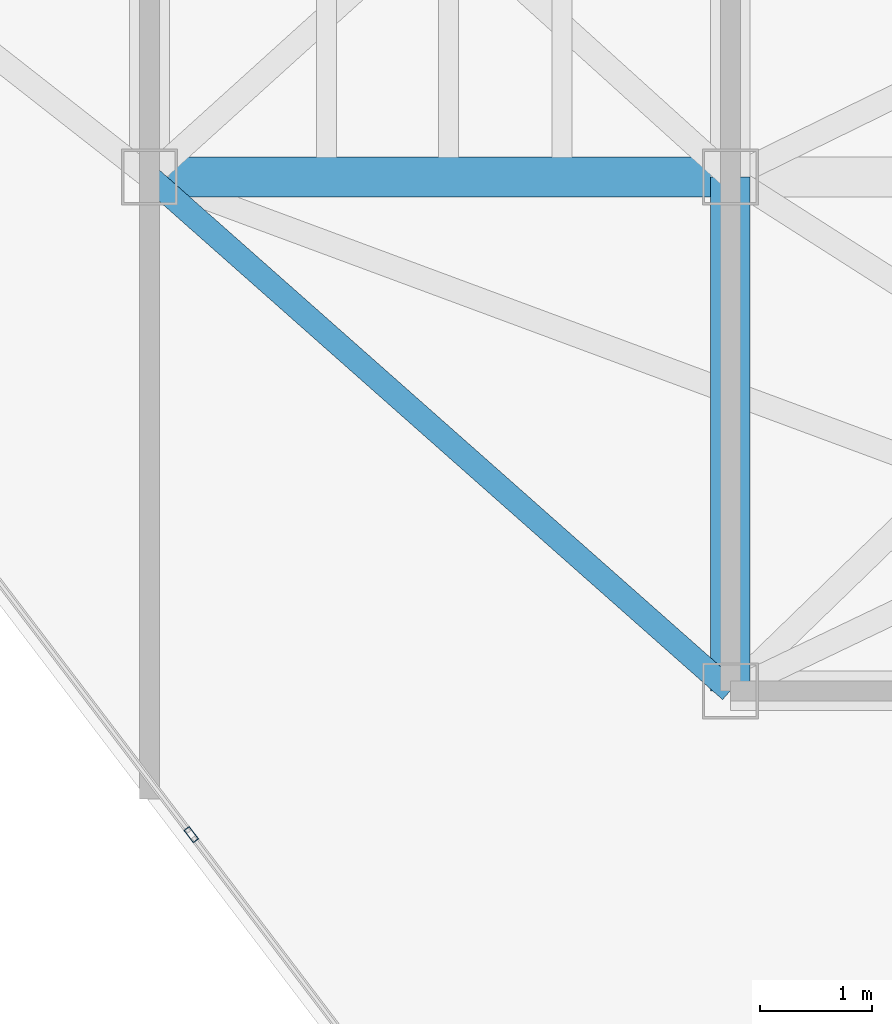
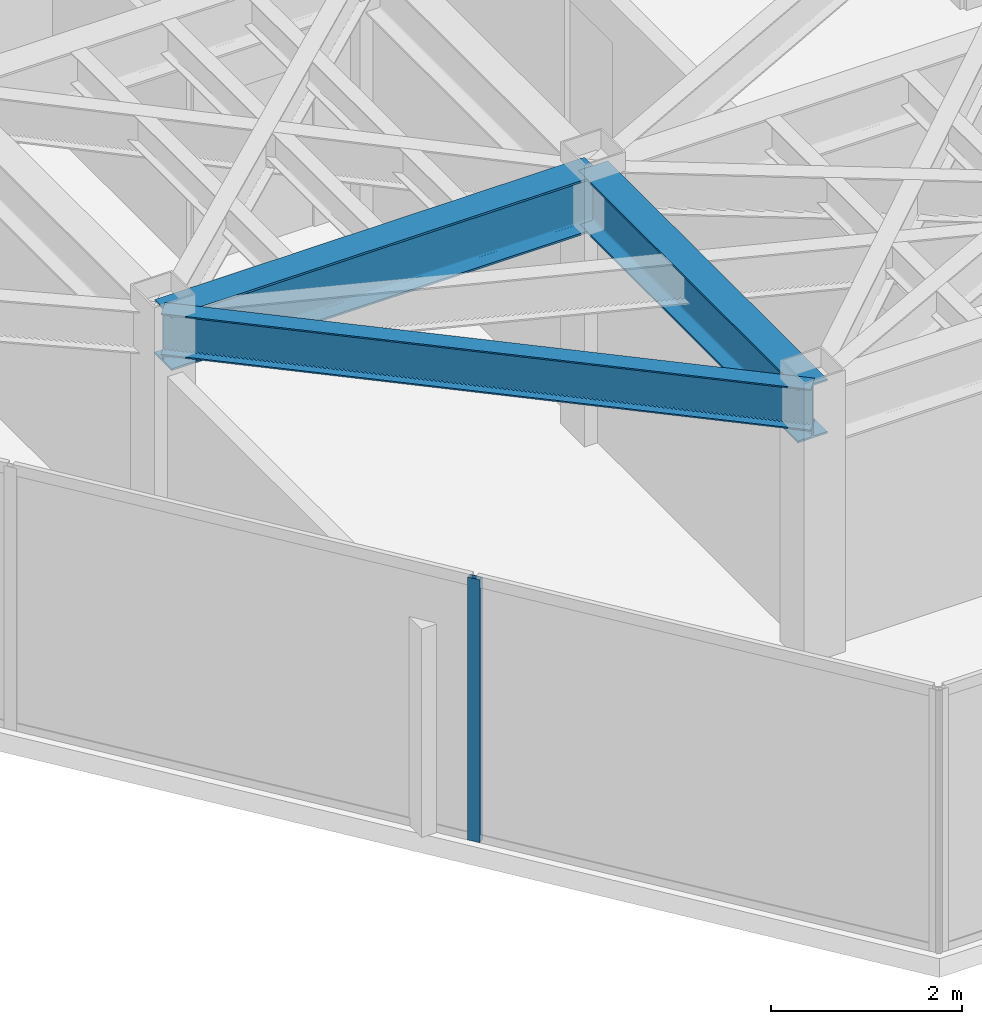
# One storey, part 10 of 21: 3 beams, 1 member, 1 element without a shape of its own.
"""IFC4 building model written with IfcOpenShell, lengths in metres."""

import ifcopenshell
import ifcopenshell.guid

model = None  # the IFC model being written
_history = None  # IfcOwnerHistory: only IFC2X3 demands one
_inside = {}  # id of a spatial element -> (the spatial element, [elements in it])
_under = {}  # id of a project, library or spatial element -> (it, [spatial elements below it])
_declared = {}  # id of a project -> (the project, [libraries it declares])
_typed = {}  # id of a type object -> (the type object, [elements of that type])
_made_of = {}  # id of a material, layer set ... -> (it, [elements and type objects made of it])


def new_model(schema):
    """Start an empty IFC model of exactly this schema.

    Asked for "IFC4X3", IfcOpenShell would pick the latest addendum, in which some entities
    have other attributes; the version numbers below select the first issue.
    IFC2X3 requires an IfcOwnerHistory on every rooted entity: one is made here for all.
    """
    global model, _history
    if schema == "IFC4X3":
        model = ifcopenshell.file(schema_version=(4, 3, 0, 0))
    else:
        model = ifcopenshell.file(schema=schema)
    _inside.clear()
    _under.clear()
    _declared.clear()
    _typed.clear()
    _made_of.clear()
    _history = None
    if model.schema == "IFC2X3":
        org = make("IfcOrganization", Name="unknown")
        user = make(
            "IfcPersonAndOrganization",
            ThePerson=make("IfcPerson", FamilyName="unknown"),
            TheOrganization=org,
        )
        app = make(
            "IfcApplication",
            ApplicationDeveloper=org,
            Version="unknown",
            ApplicationFullName="unknown",
            ApplicationIdentifier="unknown",
        )
        _history = make(
            "IfcOwnerHistory",
            OwningUser=user,
            OwningApplication=app,
            ChangeAction="ADDED",
            CreationDate=0,
        )
    return model


def make(cls, **values):
    """One entity of the class cls with the attributes given. An attribute that is None is left unset."""
    return model.create_entity(
        cls, **{name: value for name, value in values.items() if value is not None}
    )


def rooted(cls, **values):
    """An entity with a GlobalId (a new one), such as an element, a storey or a relation."""
    return make(cls, GlobalId=ifcopenshell.guid.new(), OwnerHistory=_history, **values)


def si_unit(unit_type, name, prefix=None):
    """IfcSIUnit, for example si_unit("LENGTHUNIT", "METRE", prefix="MILLI")."""
    return make("IfcSIUnit", UnitType=unit_type, Prefix=prefix, Name=name)


def assignment(units):
    """IfcUnitAssignment: the units of a project."""
    return None if units is None else make("IfcUnitAssignment", Units=units)


def point(xyz):
    """IfcCartesianPoint."""
    return None if xyz is None else make("IfcCartesianPoint", Coordinates=xyz)


def direction(xyz):
    """IfcDirection."""
    return None if xyz is None else make("IfcDirection", DirectionRatios=xyz)


def frame(location, z_axis=None, x_axis=None):
    """IfcAxis2Placement3D, a coordinate frame: its origin and axes. An axis left out is left unset."""
    return make(
        "IfcAxis2Placement3D",
        Location=point(location),
        Axis=direction(z_axis),
        RefDirection=direction(x_axis),
    )


def frame_2d(location, x_axis=None):
    """IfcAxis2Placement2D, a coordinate frame in the plane: its origin and x axis."""
    return make(
        "IfcAxis2Placement2D", Location=point(location), RefDirection=direction(x_axis)
    )


def origin():
    """The frame at (0, 0, 0) with its axes left unset."""
    return frame((0.0, 0.0, 0.0))


def origin_2d():
    """The frame at (0, 0) in the plane with its x axis left unset."""
    return frame_2d((0.0, 0.0))


def place(relative_to, where):
    """IfcLocalPlacement: puts the frame where relative to a parent placement (None: the world)."""
    return make(
        "IfcLocalPlacement", PlacementRelTo=relative_to, RelativePlacement=where
    )


def context(
    kind, dimensions, precision=None, world=None, true_north=None, identifier=None
):
    """IfcGeometricRepresentationContext, for example the 3D "Model" context."""
    return make(
        "IfcGeometricRepresentationContext",
        ContextIdentifier=identifier,
        ContextType=kind,
        CoordinateSpaceDimension=dimensions,
        Precision=precision,
        WorldCoordinateSystem=world,
        TrueNorth=true_north,
    )


def subcontext(parent, identifier, kind, view, scale=None):
    """IfcGeometricRepresentationSubContext, for example "Body" below "Model"."""
    return make(
        "IfcGeometricRepresentationSubContext",
        ContextIdentifier=identifier,
        ContextType=kind,
        ParentContext=parent,
        TargetScale=scale,
        TargetView=view,
    )


def project(units=None, contexts=None):
    """IfcProject with its units and contexts."""
    return rooted(
        "IfcProject",
        Name="project",
        RepresentationContexts=contexts,
        UnitsInContext=assignment(units),
    )


def spatial(cls, under=None, at=None, **own):
    """A site, building, storey or space (cls), placed at a placement, below another one or the project."""
    s = rooted(cls, ObjectPlacement=at, **own)
    if under is not None:
        _under.setdefault(under.id(), (under, []))[1].append(s)
    return s


def profile(cls, at=None, kind="AREA", **sizes):
    """A parametric profile (cls). Its sizes go by their IFC names, for example OverallWidth=200.0."""
    return make(cls, ProfileType=kind, Position=at, **sizes)


def hollow_rectangle(**sizes):
    """IfcRectangleHollowProfileDef."""
    return profile("IfcRectangleHollowProfileDef", **sizes)


def i_section(**sizes):
    """IfcIShapeProfileDef."""
    return profile("IfcIShapeProfileDef", **sizes)


def extrude(swept, where, along, depth):
    """IfcExtrudedAreaSolid: the profile swept, set in the frame where, extruded along a direction by depth."""
    return make(
        "IfcExtrudedAreaSolid",
        SweptArea=swept,
        Position=where,
        ExtrudedDirection=direction(along),
        Depth=depth,
    )


def shape(context_of_items, identifier, shape_type, items):
    """IfcShapeRepresentation: the items that make up one representation, for example the "Body"."""
    return make(
        "IfcShapeRepresentation",
        ContextOfItems=context_of_items,
        RepresentationIdentifier=identifier,
        RepresentationType=shape_type,
        Items=items,
    )


def material(Name=None, Category=None):
    """IfcMaterial."""
    return make("IfcMaterial", Name=Name, Category=Category)


def layer(
    of_material, thickness, ventilated=None, Name=None, Category=None, Priority=None
):
    """IfcMaterialLayer: one layer of a wall or slab, of a material (None: an air gap)."""
    return make(
        "IfcMaterialLayer",
        Material=of_material,
        LayerThickness=thickness,
        IsVentilated=ventilated,
        Name=Name,
        Category=Category,
        Priority=Priority,
    )


def layer_set(layers, Name=None):
    """IfcMaterialLayerSet."""
    return make("IfcMaterialLayerSet", MaterialLayers=layers, LayerSetName=Name)


def material_profile(
    of_material, cross_section, Name=None, Category=None, Priority=None
):
    """IfcMaterialProfile: a cross section and its material."""
    return make(
        "IfcMaterialProfile",
        Name=Name,
        Material=of_material,
        Profile=cross_section,
        Priority=Priority,
        Category=Category,
    )


def profile_set(profiles, Name=None, composite=None):
    """IfcMaterialProfileSet."""
    return make(
        "IfcMaterialProfileSet",
        Name=Name,
        MaterialProfiles=profiles,
        CompositeProfile=composite,
    )


def made_of(thing, what):
    """Note that an element or type object is made of a material, layer set ...; save() writes the relation."""
    if what is not None:
        _made_of.setdefault(what.id(), (what, []))[1].append(thing)
    return thing


def type_object(cls, material=None, **own):
    """A type object (cls), such as IfcWallType, which elements share."""
    return made_of(rooted(cls, **own), material)


def element(
    cls,
    number,
    at=None,
    inside=None,
    cuts=None,
    type_object=None,
    material=None,
    context=None,
    identifier="Body",
    shape_type=None,
    held_by="IfcProductDefinitionShape",
    body=None,
    shapes=None,
    **own,
):
    """One element of the class cls, such as IfcWall. Its Tag is "e" and its number.

    at: its placement. inside: the storey or other place that contains it. cuts: it is an
    opening in that element (IfcRelVoidsElement). A single representation is given by context,
    identifier, shape_type and body (its items); several are given by shapes. held_by: the class
    of the entity that holds the representations. save() writes the other relations.
    """
    e = rooted(cls, Tag="e%d" % number, ObjectPlacement=at, **own)
    if body is not None:
        shapes = [shape(context, identifier, shape_type, body)]
    if shapes is not None:
        e.Representation = make(held_by, Representations=shapes)
    if inside is not None:
        _inside.setdefault(inside.id(), (inside, []))[1].append(e)
    if cuts is not None:
        rooted(
            "IfcRelVoidsElement", RelatingBuildingElement=cuts, RelatedOpeningElement=e
        )
    if type_object is not None:
        _typed.setdefault(type_object.id(), (type_object, []))[1].append(e)
    return made_of(e, material)


def aggregate(whole, parts):
    """IfcRelAggregates: a whole, such as a stair, and the parts it consists of."""
    return rooted("IfcRelAggregates", RelatingObject=whole, RelatedObjects=parts)


def save(model, path):
    """Write the relations noted so far, then the file.

    IfcRelAggregates (storeys below a building ...), IfcRelContainedInSpatialStructure (elements
    in a storey), IfcRelDefinesByType, IfcRelAssociatesMaterial and IfcRelDeclares: one each for
    every whole, place, type object, material and project.
    """
    for whole, parts in _under.values():
        aggregate(whole, parts)
    for where, things in _inside.values():
        rooted(
            "IfcRelContainedInSpatialStructure",
            RelatedElements=things,
            RelatingStructure=where,
        )
    for kind, things in _typed.values():
        rooted("IfcRelDefinesByType", RelatedObjects=things, RelatingType=kind)
    for what, things in _made_of.values():
        rooted("IfcRelAssociatesMaterial", RelatedObjects=things, RelatingMaterial=what)
    for by, libraries in _declared.values():
        rooted("IfcRelDeclares", RelatingContext=by, RelatedDefinitions=libraries)
    model.write(path)


model = new_model("IFC4")

# Units and contexts
model_context = context("Model", 3, precision=1e-05, world=origin(), true_north=direction((0.0, 1.0)))
body_context = subcontext(model_context, "Body", "Model", "MODEL_VIEW")
ifc_project = project(units=[si_unit("LENGTHUNIT", "METRE"), si_unit("AREAUNIT", "SQUARE_METRE"), si_unit("VOLUMEUNIT", "CUBIC_METRE"), si_unit("PLANEANGLEUNIT", "RADIAN"), si_unit("MASSUNIT", "GRAM", prefix="KILO")], contexts=[model_context])

# Site, building, storey
site_placement = place(None, origin())
site = spatial("IfcSite", under=ifc_project, at=site_placement, CompositionType="ELEMENT")
building_placement = place(site_placement, origin())
building = spatial("IfcBuilding", under=site, at=building_placement, Name="Kravanh Interchange Tower", CompositionType="ELEMENT")
storey_placement = place(building_placement, frame((0.0, 0.0, 231.0)))
storey = spatial("IfcBuildingStorey", under=building, at=storey_placement, Name="L55", CompositionType="ELEMENT", Elevation=231.0)

# Curtain wall, member
ifc_material_1 = material(Name="Anodised Bronze Aluminium", Category="aluminium")
ifc_layer = layer(ifc_material_1, 0.179931640625)
ifc_layer_set = layer_set([ifc_layer], Name="Unitised Curtain Wall System CW-HTL Luxury Hotel")
curtain_wall_type = type_object("IfcCurtainWallType", Name="Unitised Curtain Wall System CW-HTL Luxury Hotel", PredefinedType="NOTDEFINED", material=ifc_layer_set)
curtain_wall_placement = place(storey_placement, origin())
curtain_wall = element("IfcCurtainWall", 1, at=curtain_wall_placement, inside=storey, type_object=curtain_wall_type, Name="L55 Unitised Curtain Wall CW-L55-04", PredefinedType="NOTDEFINED")
ifc_material_2 = material(Name="Anodised Bronze Aluminium", Category="aluminium")
ifc_material_profile_1 = material_profile(ifc_material_2, hollow_rectangle(XDim=0.06005859375, YDim=0.139892578125, WallThickness=0.00390625, at=origin_2d()), Name="ALU60X140X4")
ifc_profile_set_1 = profile_set([ifc_material_profile_1], Name="Anodised Bronze Aluminium")
member_type = type_object("IfcMemberType", Name="Curtain Wall Mullion ALU60X140X4 Bronze", PredefinedType="MULLION", material=ifc_profile_set_1)
member_placement = place(storey_placement, frame((51.173095703125, 20.912841796875, 0.0), z_axis=(0.0, 0.0, 1.0), x_axis=(-0.79616243806, -0.605082946564, 0.0)))
member = element("IfcMember", 2, at=member_placement, type_object=member_type, Name="CW-HTL mullion 2", PredefinedType="MULLION", context=body_context, shape_type="SweptSolid", body=[
    extrude(hollow_rectangle(XDim=0.06005859375, YDim=0.139892578125, WallThickness=0.00390625, at=origin_2d()), origin(), (0.0, 0.0, 1.0), 3.360107421875),
])
aggregate(curtain_wall, [member])

# Beams
ifc_material_3 = material(Name="Structural Steel S355", Category="steel")
ifc_material_profile_2 = material_profile(ifc_material_3, i_section(OverallWidth=0.35498046875, OverallDepth=0.696044921875, WebThickness=0.015380859375, FlangeThickness=0.02490234375, FilletRadius=0.02392578125, at=origin_2d()), Name="W27X146")
ifc_profile_set_2 = profile_set([ifc_material_profile_2], Name="Structural Steel S355")
beam_type_1 = type_object("IfcBeamType", Name="Floor Beam W27X146 Structural Steel S355", PredefinedType="BEAM", material=ifc_profile_set_2)
beam_1_placement = place(storey_placement, frame((50.800048828125, 26.800048828125, 3.011962890625), z_axis=(1.0, 0.0, 0.0), x_axis=(0.0, 1.0, 0.0)))
element("IfcBeam", 3, at=beam_1_placement, inside=storey, type_object=beam_type_1, Name="L55 Primary Floor Girder 31", PredefinedType="BEAM", context=body_context, shape_type="SweptSolid", body=[
    extrude(i_section(OverallWidth=0.35498046875, OverallDepth=0.696044921875, WebThickness=0.015380859375, FlangeThickness=0.02490234375, FilletRadius=0.02392578125, at=origin_2d()), origin(), (0.0, 0.0, 1.0), 5.199951171875),
])
beam_2_placement = place(storey_placement, frame((56.0, 26.800048828125, 3.011962890625), z_axis=(0.0, -1.0, 0.0), x_axis=(1.0, 0.0, 0.0)))
element("IfcBeam", 4, at=beam_2_placement, inside=storey, type_object=beam_type_1, Name="L55 Primary Floor Girder 34", PredefinedType="BEAM", context=body_context, shape_type="SweptSolid", body=[
    extrude(i_section(OverallWidth=0.35498046875, OverallDepth=0.696044921875, WebThickness=0.015380859375, FlangeThickness=0.02490234375, FilletRadius=0.02392578125, at=origin_2d()), origin(), (0.0, 0.0, 1.0), 4.60009765625),
])
ifc_material_4 = material(Name="Structural Steel S355", Category="steel")
ifc_material_profile_3 = material_profile(ifc_material_4, i_section(OverallWidth=0.2099609375, OverallDepth=0.537109375, WebThickness=0.010986328125, FlangeThickness=0.017333984375, FilletRadius=0.02001953125, at=origin_2d()), Name="W21X68")
ifc_profile_set_3 = profile_set([ifc_material_profile_3], Name="Structural Steel S355")
beam_type_2 = type_object("IfcBeamType", Name="Floor Spandrel W21X68 Structural Steel S355", PredefinedType="SPANDREL", material=ifc_profile_set_3)
beam_3_placement = place(storey_placement, frame((50.800048828125, 26.800048828125, 3.091552734375), z_axis=(0.74898649432, -0.662585263439, 0.0), x_axis=(0.662585263439, 0.74898649432, 0.0)))
element("IfcBeam", 5, at=beam_3_placement, inside=storey, type_object=beam_type_2, Name="L55 Perimeter Spandrel 32", PredefinedType="SPANDREL", context=body_context, shape_type="SweptSolid", body=[
    extrude(i_section(OverallWidth=0.2099609375, OverallDepth=0.537109375, WebThickness=0.010986328125, FlangeThickness=0.017333984375, FilletRadius=0.02001953125, at=origin_2d()), origin(), (0.0, 0.0, 1.0), 6.942626953125),
])

save(model, "model.ifc")
